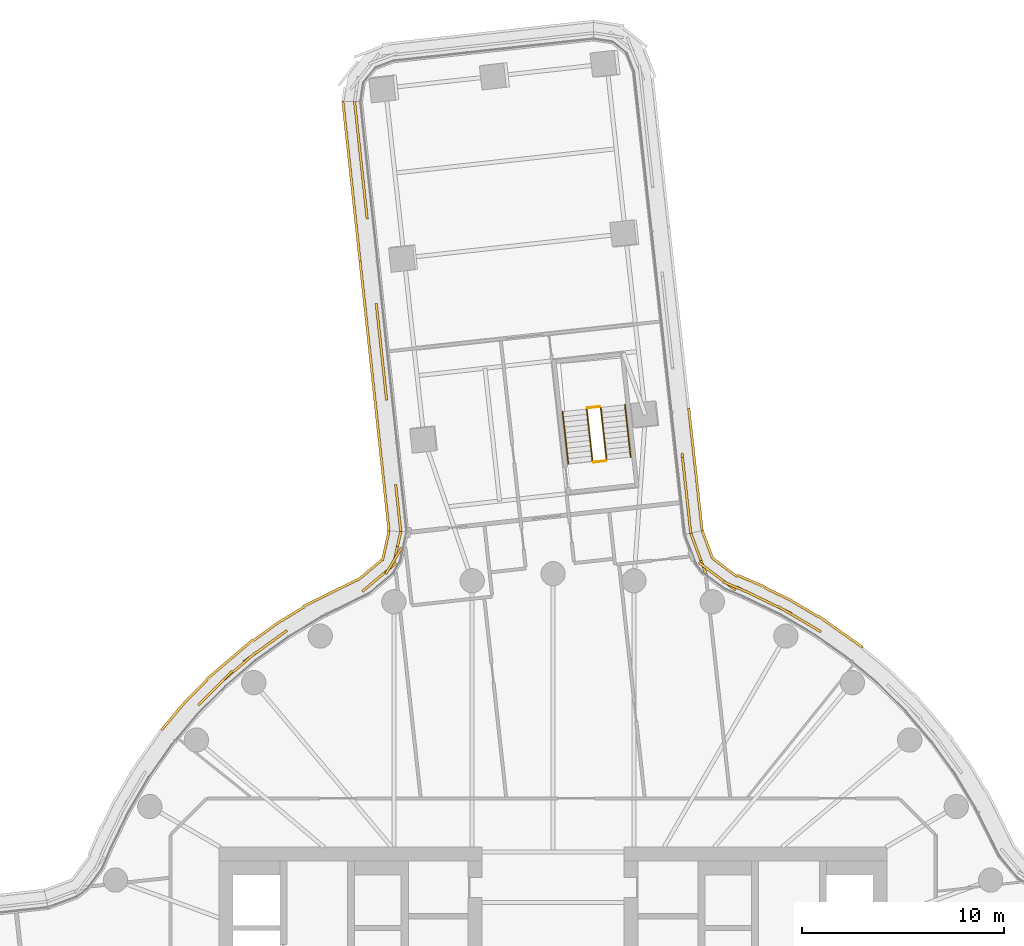
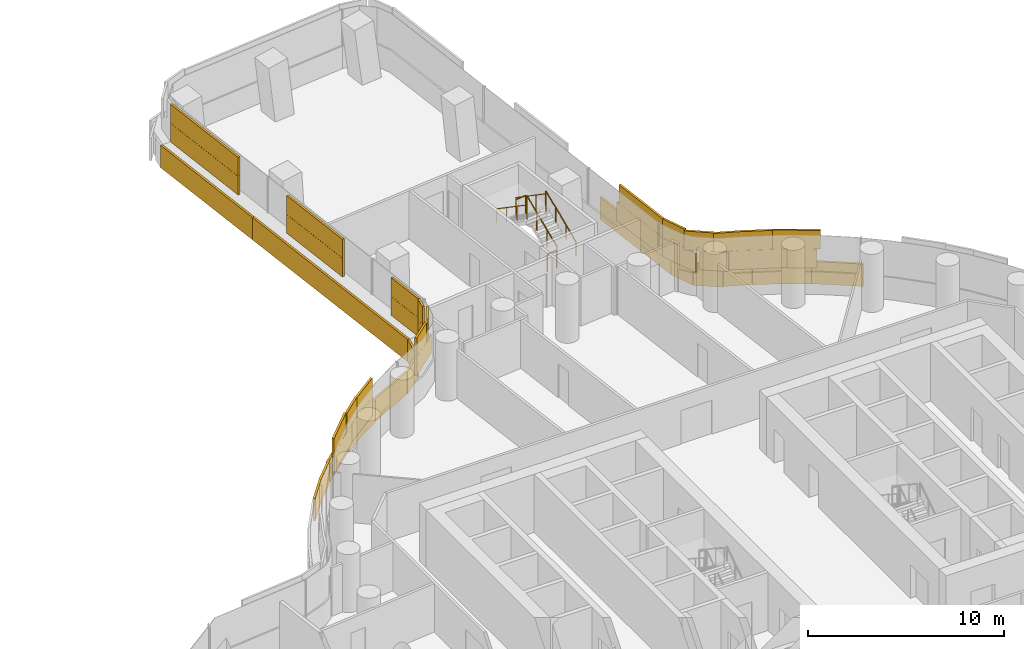
# One storey, part 30 of 31: 6 railings, 5 coverings.
"""IFC4 building model written with IfcOpenShell, lengths in metres."""

from ifc_helpers import new_model, si_unit, direction, frame, origin, origin_2d, place, context, subcontext, project, spatial, rectangle, circle, extrude, material, layer, layer_set, type_object, element, save


model = new_model("IFC4")

# Units and contexts
model_context = context("Model", 3, precision=1e-05, world=origin(), true_north=direction((0.0, 1.0)))
body_context = subcontext(model_context, "Body", "Model", "MODEL_VIEW")
ifc_project = project(units=[si_unit("LENGTHUNIT", "METRE"), si_unit("AREAUNIT", "SQUARE_METRE"), si_unit("VOLUMEUNIT", "CUBIC_METRE"), si_unit("PLANEANGLEUNIT", "RADIAN"), si_unit("MASSUNIT", "GRAM", prefix="KILO")], contexts=[model_context])

# Site, building, storey
site_placement = place(None, origin())
site = spatial("IfcSite", under=ifc_project, at=site_placement, CompositionType="ELEMENT")
building_placement = place(site_placement, origin())
building = spatial("IfcBuilding", under=site, at=building_placement, Name="Tamarind Cross Interchange Tower", CompositionType="ELEMENT")
storey_placement = place(building_placement, frame((0.0, 0.0, 56.5)))
storey = spatial("IfcBuildingStorey", under=building, at=storey_placement, Name="L12", CompositionType="ELEMENT", Elevation=56.5)

# Railings
ifc_material_1 = material(Name="Stair guard")
railing_type_1 = type_object("IfcRailingType", Name="Stair guard", PredefinedType="GUARDRAIL", material=ifc_material_1)
railing_1_placement = place(storey_placement, frame((2.64208984375, 28.628173828125, 0.17041015625)))
element("IfcRailing", 1, at=railing_1_placement, inside=storey, type_object=railing_type_1, Name="L12 ST4 stair guard 1", PredefinedType="GUARDRAIL", context=body_context, shape_type="SweptSolid", body=[
    extrude(circle(Radius=0.02392578125, at=origin_2d()), frame((0.0, 0.0, 1.076171875), z_axis=(-0.091327612329, 0.831293296749, 0.548279784423), x_axis=(-0.994019246663, -0.109205023982, 0.0)), (0.0, 0.0, 1.0), 3.10888671875),
    extrude(circle(Radius=0.02099609375, at=origin_2d()), origin(), (0.0, 0.0, 1.0), 1.052001953125),
    extrude(circle(Radius=0.02099609375, at=origin_2d()), frame((-0.0947265625, 0.861572265625, 0.568115234375)), (0.0, 0.0, 1.0), 1.052001953125),
    extrude(circle(Radius=0.02099609375, at=origin_2d()), frame((-0.189208984375, 1.722900390625, 1.136474609375)), (0.0, 0.0, 1.0), 1.052001953125),
    extrude(circle(Radius=0.02099609375, at=origin_2d()), frame((-0.283935546875, 2.58447265625, 1.70458984375)), (0.0, 0.0, 1.0), 1.052001953125),
])
railing_2_placement = place(storey_placement, frame((2.302978515625, 31.2568359375, 1.875)))
element("IfcRailing", 2, at=railing_2_placement, inside=storey, type_object=railing_type_1, Name="L12 ST4 stair guard 2", PredefinedType="GUARDRAIL", context=body_context, shape_type="SweptSolid", body=[
    extrude(circle(Radius=0.02392578125, at=origin_2d()), frame((0.0, 0.0, 1.076171875), z_axis=(-0.994036595398, -0.109046994501, 0.0), x_axis=(0.109046994501, -0.994036595398, 0.0)), (0.0, 0.0, 1.0), 0.60009765625),
    extrude(circle(Radius=0.02099609375, at=origin_2d()), origin(), (0.0, 0.0, 1.0), 1.052001953125),
    extrude(circle(Radius=0.02099609375, at=origin_2d()), frame((-0.596435546875, -0.0654296875, 0.0)), (0.0, 0.0, 1.0), 1.052001953125),
])
railing_3_placement = place(storey_placement, frame((1.662353515625, 31.13623046875, 2.04541015625)))
element("IfcRailing", 3, at=railing_3_placement, inside=storey, type_object=railing_type_1, Name="L12 ST4 stair guard 3", PredefinedType="GUARDRAIL", context=body_context, shape_type="SweptSolid", body=[
    extrude(circle(Radius=0.02392578125, at=origin_2d()), frame((0.0, 0.0, 1.076171875), z_axis=(0.091327612329, -0.831293296749, 0.548279784423), x_axis=(0.994019246663, 0.109205023982, 0.0)), (0.0, 0.0, 1.0), 3.10888671875),
    extrude(circle(Radius=0.02099609375, at=origin_2d()), origin(), (0.0, 0.0, 1.0), 1.052001953125),
    extrude(circle(Radius=0.02099609375, at=origin_2d()), frame((0.0947265625, -0.861572265625, 0.568115234375)), (0.0, 0.0, 1.0), 1.052001953125),
    extrude(circle(Radius=0.02099609375, at=origin_2d()), frame((0.189208984375, -1.722900390625, 1.136474609375)), (0.0, 0.0, 1.0), 1.052001953125),
    extrude(circle(Radius=0.02099609375, at=origin_2d()), frame((0.283935546875, -2.58447265625, 1.70458984375)), (0.0, 0.0, 1.0), 1.052001953125),
])
railing_4_placement = place(storey_placement, frame((2.597900390625, 28.572998046875, 0.0)))
element("IfcRailing", 4, at=railing_4_placement, inside=storey, type_object=railing_type_1, Name="L12 ST4 stair guard 4", PredefinedType="GUARDRAIL", context=body_context, shape_type="SweptSolid", body=[
    extrude(circle(Radius=0.02392578125, at=origin_2d()), frame((0.0, 0.0, 1.076171875), z_axis=(-0.994036595398, -0.109046994501, 0.0), x_axis=(0.109046994501, -0.994036595398, 0.0)), (0.0, 0.0, 1.0), 0.60009765625),
    extrude(circle(Radius=0.02099609375, at=origin_2d()), origin(), (0.0, 0.0, 1.0), 1.052001953125),
    extrude(circle(Radius=0.02099609375, at=origin_2d()), frame((-0.596435546875, -0.0654296875, 0.0)), (0.0, 0.0, 1.0), 1.052001953125),
])
ifc_material_2 = material(Name="Stair handrail")
railing_type_2 = type_object("IfcRailingType", Name="Stair handrail", PredefinedType="HANDRAIL", material=ifc_material_2)
railing_5_placement = place(storey_placement, frame((3.8349609375, 28.75927734375, 0.17041015625)))
element("IfcRailing", 5, at=railing_5_placement, inside=storey, type_object=railing_type_2, Name="L12 ST4 stair handrail 1", PredefinedType="HANDRAIL", context=body_context, shape_type="SweptSolid", body=[
    extrude(circle(Radius=0.02392578125, at=origin_2d()), frame((0.0, 0.0, 0.8759765625), z_axis=(-0.09133357445, 0.831269033153, 0.548315577655), x_axis=(-0.994018126687, -0.109215217887, 0.0)), (0.0, 0.0, 1.0), 3.10888671875),
    extrude(circle(Radius=0.02099609375, at=origin_2d()), origin(), (0.0, 0.0, 1.0), 0.851806640625),
    extrude(circle(Radius=0.02099609375, at=origin_2d()), frame((-0.0947265625, 0.861328125, 0.568115234375)), (0.0, 0.0, 1.0), 0.851806640625),
    extrude(circle(Radius=0.02099609375, at=origin_2d()), frame((-0.189208984375, 1.722900390625, 1.136474609375)), (0.0, 0.0, 1.0), 0.851806640625),
    extrude(circle(Radius=0.02099609375, at=origin_2d()), frame((-0.283935546875, 2.584228515625, 1.70458984375)), (0.0, 0.0, 1.0), 0.851806640625),
])
railing_6_placement = place(storey_placement, frame((0.469482421875, 31.005126953125, 2.04541015625)))
element("IfcRailing", 6, at=railing_6_placement, inside=storey, type_object=railing_type_2, Name="L12 ST4 stair handrail 2", PredefinedType="HANDRAIL", context=body_context, shape_type="SweptSolid", body=[
    extrude(circle(Radius=0.02392578125, at=origin_2d()), frame((0.0, 0.0, 0.8759765625), z_axis=(0.091327612329, -0.831293296749, 0.548279784423), x_axis=(0.994019246663, 0.109205023982, 0.0)), (0.0, 0.0, 1.0), 3.10888671875),
    extrude(circle(Radius=0.02099609375, at=origin_2d()), origin(), (0.0, 0.0, 1.0), 0.851806640625),
    extrude(circle(Radius=0.02099609375, at=origin_2d()), frame((0.0947265625, -0.861572265625, 0.568115234375)), (0.0, 0.0, 1.0), 0.851806640625),
    extrude(circle(Radius=0.02099609375, at=origin_2d()), frame((0.189208984375, -1.722900390625, 1.136474609375)), (0.0, 0.0, 1.0), 0.851806640625),
    extrude(circle(Radius=0.02099609375, at=origin_2d()), frame((0.283935546875, -2.58447265625, 1.70458984375)), (0.0, 0.0, 1.0), 0.851806640625),
])

# Coverings
ifc_material_3 = material(Name="Terracotta", Category="masonry")
ifc_layer = layer(ifc_material_3, 0.1201171875)
ifc_layer_set = layer_set([ifc_layer], Name="Terracotta")
covering_type = type_object("IfcCoveringType", Name="Terracotta baguette screen unit", PredefinedType="MOLDING", material=ifc_layer_set)
covering_1_placement = place(storey_placement, origin())
element("IfcCovering", 7, at=covering_1_placement, inside=storey, type_object=covering_type, Name="SCR-L12-02-01", PredefinedType="MOLDING", context=body_context, shape_type="SweptSolid", body=[
    extrude(rectangle(XDim=1.52001953125, YDim=0.1201171875, at=origin_2d()), frame((12.41162109375, 20.618896484375, 1.404052734375), z_axis=(0.0, 0.0, 1.0), x_axis=(-0.861248933065, 0.508183308752, 0.0)), (0.0, 0.0, 1.0), 1.1669921875),
    extrude(rectangle(XDim=1.52001953125, YDim=0.1201171875, at=origin_2d()), frame((11.108154296875, 21.35986328125, 1.404052734375), z_axis=(0.0, 0.0, 1.0), x_axis=(-0.900272776334, 0.435326231914, 0.0)), (0.0, 0.0, 1.0), 1.1669921875),
    extrude(rectangle(XDim=1.52001953125, YDim=0.1201171875, at=origin_2d()), frame((9.7578125, 22.012939453125, 1.404052734375), z_axis=(0.0, 0.0, 1.0), x_axis=(-0.900272776334, 0.435326231914, 0.0)), (0.0, 0.0, 1.0), 1.1669921875),
    extrude(rectangle(XDim=1.52001953125, YDim=0.1201171875, at=origin_2d()), frame((8.405517578125, 22.651123046875, 1.404052734375), z_axis=(0.0, 0.0, 1.0), x_axis=(-0.799478775796, 0.600694337457, 0.0)), (0.0, 0.0, 1.0), 1.1669921875),
    extrude(rectangle(XDim=1.52001953125, YDim=0.1201171875, at=origin_2d()), frame((7.3056640625, 23.651611328125, 1.404052734375), z_axis=(0.0, 0.0, 1.0), x_axis=(-0.349296848309, 0.937012119325, 0.0)), (0.0, 0.0, 1.0), 1.1669921875),
    extrude(rectangle(XDim=0.69921875, YDim=0.1201171875, at=origin_2d()), frame((6.92333984375, 24.67724609375, 1.404052734375), z_axis=(0.0, 0.0, 1.0), x_axis=(-0.349296848309, 0.937012119325, 0.0)), (0.0, 0.0, 1.0), 1.1669921875),
    extrude(rectangle(XDim=0.9638671875, YDim=0.1201171875, at=origin_2d()), frame((12.822265625, 20.376708984375, 2.5791015625), z_axis=(0.0, 0.0, 1.0), x_axis=(-0.861248933065, 0.508183308752, 0.0)), (0.0, 0.0, 1.0), 1.1669921875),
    extrude(rectangle(XDim=1.52001953125, YDim=0.1201171875, at=origin_2d()), frame((11.765625, 21.000244140625, 2.5791015625), z_axis=(0.0, 0.0, 1.0), x_axis=(-0.861248933065, 0.508183308752, 0.0)), (0.0, 0.0, 1.0), 1.1669921875),
    extrude(rectangle(XDim=1.52001953125, YDim=0.1201171875, at=origin_2d()), frame((10.43310546875, 21.686279296875, 2.5791015625), z_axis=(0.0, 0.0, 1.0), x_axis=(-0.900272776334, 0.435326231914, 0.0)), (0.0, 0.0, 1.0), 1.1669921875),
    extrude(rectangle(XDim=1.52001953125, YDim=0.1201171875, at=origin_2d()), frame((9.072265625, 22.31640625, 2.5791015625), z_axis=(0.0, 0.0, 1.0), x_axis=(-0.91921788049, 0.393749270714, 0.0)), (0.0, 0.0, 1.0), 1.1669921875),
    extrude(rectangle(XDim=1.52001953125, YDim=0.1201171875, at=origin_2d()), frame((7.805908203125, 23.1015625, 2.5791015625), z_axis=(0.0, 0.0, 1.0), x_axis=(-0.799478775796, 0.600694337457, 0.0)), (0.0, 0.0, 1.0), 1.1669921875),
    extrude(rectangle(XDim=1.44921875, YDim=0.1201171875, at=origin_2d()), frame((7.054443359375, 24.32568359375, 2.5791015625), z_axis=(0.0, 0.0, 1.0), x_axis=(-0.349296848309, 0.937012119325, 0.0)), (0.0, 0.0, 1.0), 1.1669921875),
    extrude(rectangle(XDim=1.170654296875, YDim=0.1201171875, at=origin_2d()), frame((14.818359375, 19.69873046875, 0.00390625), z_axis=(0.0, 0.0, 1.0), x_axis=(-0.816341886298, 0.577568978284, 0.0)), (0.0, 0.0, 1.0), 1.39208984375),
    extrude(rectangle(XDim=1.52001953125, YDim=0.1201171875, at=origin_2d()), frame((13.736572265625, 20.464111328125, 0.00390625), z_axis=(0.0, 0.0, 1.0), x_axis=(-0.816341886298, 0.577568978284, 0.0)), (0.0, 0.0, 1.0), 1.39208984375),
    extrude(rectangle(XDim=1.52001953125, YDim=0.1201171875, at=origin_2d()), frame((12.463134765625, 21.255126953125, 0.00390625), z_axis=(0.0, 0.0, 1.0), x_axis=(-0.861248933065, 0.508183308752, 0.0)), (0.0, 0.0, 1.0), 1.39208984375),
    extrude(rectangle(XDim=1.52001953125, YDim=0.1201171875, at=origin_2d()), frame((11.14990234375, 21.977294921875, 0.00390625), z_axis=(0.0, 0.0, 1.0), x_axis=(-0.900272776334, 0.435326231914, 0.0)), (0.0, 0.0, 1.0), 1.39208984375),
    extrude(rectangle(XDim=1.52001953125, YDim=0.1201171875, at=origin_2d()), frame((9.799072265625, 22.62939453125, 0.00390625), z_axis=(0.0, 0.0, 1.0), x_axis=(-0.91921788049, 0.393749270714, 0.0)), (0.0, 0.0, 1.0), 1.39208984375),
    extrude(rectangle(XDim=1.52001953125, YDim=0.1201171875, at=origin_2d()), frame((8.475830078125, 23.316162109375, 0.00390625), z_axis=(0.0, 0.0, 1.0), x_axis=(-0.799478775796, 0.600694337457, 0.0)), (0.0, 0.0, 1.0), 1.39208984375),
    extrude(rectangle(XDim=1.455322265625, YDim=0.1201171875, at=origin_2d()), frame((7.6201171875, 24.451904296875, 0.00390625), z_axis=(0.0, 0.0, 1.0), x_axis=(-0.349296848309, 0.937012119325, 0.0)), (0.0, 0.0, 1.0), 1.39208984375),
])
covering_2_placement = place(storey_placement, origin())
element("IfcCovering", 8, at=covering_2_placement, inside=storey, type_object=covering_type, Name="SCR-L12-03-00", PredefinedType="MOLDING", context=body_context, shape_type="SweptSolid", body=[
    extrude(rectangle(XDim=1.510009765625, YDim=0.1201171875, at=origin_2d()), frame((6.72119140625, 25.74560546875, 1.404052734375), z_axis=(0.0, 0.0, 1.0), x_axis=(-0.109193040639, 0.994020563105, 0.0)), (0.0, 0.0, 1.0), 1.1669921875),
    extrude(rectangle(XDim=1.52001953125, YDim=0.1201171875, at=origin_2d()), frame((6.557373046875, 27.236572265625, 1.404052734375), z_axis=(0.0, 0.0, 1.0), x_axis=(-0.109193040639, 0.994020563105, 0.0)), (0.0, 0.0, 1.0), 1.1669921875),
    extrude(rectangle(XDim=0.982177734375, YDim=0.1201171875, at=origin_2d()), frame((6.42236328125, 28.46533203125, 1.404052734375), z_axis=(0.0, 0.0, 1.0), x_axis=(-0.109193040639, 0.994020563105, 0.0)), (0.0, 0.0, 1.0), 1.1669921875),
    extrude(rectangle(XDim=0.760009765625, YDim=0.1201171875, at=origin_2d()), frame((6.76220703125, 25.372802734375, 2.5791015625), z_axis=(0.0, 0.0, 1.0), x_axis=(-0.109193040639, 0.994020563105, 0.0)), (0.0, 0.0, 1.0), 1.1669921875),
    extrude(rectangle(XDim=1.52001953125, YDim=0.1201171875, at=origin_2d()), frame((6.639404296875, 26.490966796875, 2.5791015625), z_axis=(0.0, 0.0, 1.0), x_axis=(-0.109193040639, 0.994020563105, 0.0)), (0.0, 0.0, 1.0), 1.1669921875),
    extrude(rectangle(XDim=1.52001953125, YDim=0.1201171875, at=origin_2d()), frame((6.4755859375, 27.982177734375, 2.5791015625), z_axis=(0.0, 0.0, 1.0), x_axis=(-0.109193040639, 0.994020563105, 0.0)), (0.0, 0.0, 1.0), 1.1669921875),
    extrude(rectangle(XDim=1.510009765625, YDim=0.1201171875, at=origin_2d()), frame((7.283447265625, 25.884033203125, 0.00390625), z_axis=(0.0, 0.0, 1.0), x_axis=(-0.109193040639, 0.994020563105, 0.0)), (0.0, 0.0, 1.0), 1.39208984375),
    extrude(rectangle(XDim=1.52001953125, YDim=0.1201171875, at=origin_2d()), frame((7.1201171875, 27.3701171875, 0.00390625), z_axis=(0.0, 0.0, 1.0), x_axis=(-0.109193040639, 0.994020563105, 0.0)), (0.0, 0.0, 1.0), 1.39208984375),
    extrude(rectangle(XDim=1.52001953125, YDim=0.1201171875, at=origin_2d()), frame((6.956298828125, 28.861328125, 0.00390625), z_axis=(0.0, 0.0, 1.0), x_axis=(-0.109193040639, 0.994020563105, 0.0)), (0.0, 0.0, 1.0), 1.39208984375),
    extrude(rectangle(XDim=1.52001953125, YDim=0.1201171875, at=origin_2d()), frame((6.792724609375, 30.352294921875, 0.00390625), z_axis=(0.0, 0.0, 1.0), x_axis=(-0.109193040639, 0.994020563105, 0.0)), (0.0, 0.0, 1.0), 1.39208984375),
    extrude(rectangle(XDim=0.083251953125, YDim=0.1201171875, at=origin_2d()), frame((6.707275390625, 31.129150390625, 0.00390625), z_axis=(0.0, 0.0, 1.0), x_axis=(-0.109193040639, 0.994020563105, 0.0)), (0.0, 0.0, 1.0), 1.39208984375),
])
covering_3_placement = place(storey_placement, origin())
element("IfcCovering", 9, at=covering_3_placement, inside=storey, type_object=covering_type, Name="SCR-L12-05-00", PredefinedType="MOLDING", context=body_context, shape_type="SweptSolid", body=[
    extrude(rectangle(XDim=1.510009765625, YDim=0.1201171875, at=origin_2d()), frame((-9.724853515625, 45.58056640625, 1.404052734375), z_axis=(0.0, 0.0, 1.0), x_axis=(0.106743612679, -0.994286578986, 0.0)), (0.0, 0.0, 1.0), 1.1669921875),
    extrude(rectangle(XDim=1.52001953125, YDim=0.1201171875, at=origin_2d()), frame((-9.564697265625, 44.089111328125, 1.404052734375), z_axis=(0.0, 0.0, 1.0), x_axis=(0.106743612679, -0.994286578986, 0.0)), (0.0, 0.0, 1.0), 1.1669921875),
    extrude(rectangle(XDim=1.52001953125, YDim=0.1201171875, at=origin_2d()), frame((-9.404541015625, 42.597900390625, 1.404052734375), z_axis=(0.0, 0.0, 1.0), x_axis=(0.106743612679, -0.994286578986, 0.0)), (0.0, 0.0, 1.0), 1.1669921875),
    extrude(rectangle(XDim=1.348388671875, YDim=0.1201171875, at=origin_2d()), frame((-9.253173828125, 41.186767578125, 1.404052734375), z_axis=(0.0, 0.0, 1.0), x_axis=(0.106743612679, -0.994286578986, 0.0)), (0.0, 0.0, 1.0), 1.1669921875),
    extrude(rectangle(XDim=0.760009765625, YDim=0.1201171875, at=origin_2d()), frame((-9.764892578125, 45.95361328125, 2.5791015625), z_axis=(0.0, 0.0, 1.0), x_axis=(0.106743612679, -0.994286578986, 0.0)), (0.0, 0.0, 1.0), 1.1669921875),
    extrude(rectangle(XDim=1.52001953125, YDim=0.1201171875, at=origin_2d()), frame((-9.644775390625, 44.8349609375, 2.5791015625), z_axis=(0.0, 0.0, 1.0), x_axis=(0.106743612679, -0.994286578986, 0.0)), (0.0, 0.0, 1.0), 1.1669921875),
    extrude(rectangle(XDim=1.52001953125, YDim=0.1201171875, at=origin_2d()), frame((-9.484619140625, 43.343505859375, 2.5791015625), z_axis=(0.0, 0.0, 1.0), x_axis=(0.106743612679, -0.994286578986, 0.0)), (0.0, 0.0, 1.0), 1.1669921875),
    extrude(rectangle(XDim=1.52001953125, YDim=0.1201171875, at=origin_2d()), frame((-9.324462890625, 41.85205078125, 2.5791015625), z_axis=(0.0, 0.0, 1.0), x_axis=(0.106743612679, -0.994286578986, 0.0)), (0.0, 0.0, 1.0), 1.1669921875),
    extrude(rectangle(XDim=0.598388671875, YDim=0.1201171875, at=origin_2d()), frame((-9.213134765625, 40.81396484375, 2.5791015625), z_axis=(0.0, 0.0, 1.0), x_axis=(0.106743612679, -0.994286578986, 0.0)), (0.0, 0.0, 1.0), 1.1669921875),
    extrude(rectangle(XDim=1.510009765625, YDim=0.1201171875, at=origin_2d()), frame((-10.302978515625, 45.5888671875, 0.00390625), z_axis=(0.0, 0.0, 1.0), x_axis=(0.106743612679, -0.994286578986, 0.0)), (0.0, 0.0, 1.0), 1.39208984375),
    extrude(rectangle(XDim=1.52001953125, YDim=0.1201171875, at=origin_2d()), frame((-10.143310546875, 44.102294921875, 0.00390625), z_axis=(0.0, 0.0, 1.0), x_axis=(0.106743612679, -0.994286578986, 0.0)), (0.0, 0.0, 1.0), 1.39208984375),
    extrude(rectangle(XDim=1.52001953125, YDim=0.1201171875, at=origin_2d()), frame((-9.9833984375, 42.61083984375, 0.00390625), z_axis=(0.0, 0.0, 1.0), x_axis=(0.106743612679, -0.994286578986, 0.0)), (0.0, 0.0, 1.0), 1.39208984375),
    extrude(rectangle(XDim=1.52001953125, YDim=0.1201171875, at=origin_2d()), frame((-9.8232421875, 41.11962890625, 0.00390625), z_axis=(0.0, 0.0, 1.0), x_axis=(0.106743612679, -0.994286578986, 0.0)), (0.0, 0.0, 1.0), 1.39208984375),
    extrude(rectangle(XDim=1.52001953125, YDim=0.1201171875, at=origin_2d()), frame((-9.6630859375, 39.628173828125, 0.00390625), z_axis=(0.0, 0.0, 1.0), x_axis=(0.106743612679, -0.994286578986, 0.0)), (0.0, 0.0, 1.0), 1.39208984375),
    extrude(rectangle(XDim=0.441162109375, YDim=0.1201171875, at=origin_2d()), frame((-9.560546875, 38.6728515625, 0.00390625), z_axis=(0.0, 0.0, 1.0), x_axis=(0.106743612679, -0.994286578986, 0.0)), (0.0, 0.0, 1.0), 1.39208984375),
])
covering_4_placement = place(storey_placement, origin())
element("IfcCovering", 10, at=covering_4_placement, inside=storey, type_object=covering_type, Name="SCR-L12-05-01", PredefinedType="MOLDING", context=body_context, shape_type="SweptSolid", body=[
    extrude(rectangle(XDim=0.4716796875, YDim=0.1201171875, at=origin_2d()), frame((-8.708740234375, 36.11572265625, 1.404052734375), z_axis=(0.0, 0.0, 1.0), x_axis=(0.106743612679, -0.994286578986, 0.0)), (0.0, 0.0, 1.0), 1.1669921875),
    extrude(rectangle(XDim=1.52001953125, YDim=0.1201171875, at=origin_2d()), frame((-8.60400390625, 35.140625, 1.404052734375), z_axis=(0.0, 0.0, 1.0), x_axis=(0.106743612679, -0.994286578986, 0.0)), (0.0, 0.0, 1.0), 1.1669921875),
    extrude(rectangle(XDim=1.52001953125, YDim=0.1201171875, at=origin_2d()), frame((-8.44384765625, 33.649169921875, 1.404052734375), z_axis=(0.0, 0.0, 1.0), x_axis=(0.106743612679, -0.994286578986, 0.0)), (0.0, 0.0, 1.0), 1.1669921875),
    extrude(rectangle(XDim=1.34716796875, YDim=0.1201171875, at=origin_2d()), frame((-8.29248046875, 32.23876953125, 1.404052734375), z_axis=(0.0, 0.0, 1.0), x_axis=(0.106743612679, -0.994286578986, 0.0)), (0.0, 0.0, 1.0), 1.1669921875),
    extrude(rectangle(XDim=0.472900390625, YDim=0.1201171875, at=origin_2d()), frame((-7.748046875, 27.16796875, 1.404052734375), z_axis=(0.0, 0.0, 1.0), x_axis=(0.106743612679, -0.994286578986, 0.0)), (0.0, 0.0, 1.0), 1.1669921875),
    extrude(rectangle(XDim=1.52001953125, YDim=0.1201171875, at=origin_2d()), frame((-7.643310546875, 26.192138671875, 1.404052734375), z_axis=(0.0, 0.0, 1.0), x_axis=(0.106743612679, -0.994286578986, 0.0)), (0.0, 0.0, 1.0), 1.1669921875),
    extrude(rectangle(XDim=0.37548828125, YDim=0.1201171875, at=origin_2d()), frame((-7.543701171875, 25.2646484375, 1.404052734375), z_axis=(0.0, 0.0, 1.0), x_axis=(0.106743612679, -0.994286578986, 0.0)), (0.0, 0.0, 1.0), 1.1669921875),
    extrude(rectangle(XDim=1.2216796875, YDim=0.1201171875, at=origin_2d()), frame((-8.668701171875, 35.742919921875, 2.5791015625), z_axis=(0.0, 0.0, 1.0), x_axis=(0.106743612679, -0.994286578986, 0.0)), (0.0, 0.0, 1.0), 1.1669921875),
    extrude(rectangle(XDim=1.52001953125, YDim=0.1201171875, at=origin_2d()), frame((-8.52392578125, 34.39501953125, 2.5791015625), z_axis=(0.0, 0.0, 1.0), x_axis=(0.106743612679, -0.994286578986, 0.0)), (0.0, 0.0, 1.0), 1.1669921875),
    extrude(rectangle(XDim=1.52001953125, YDim=0.1201171875, at=origin_2d()), frame((-8.36376953125, 32.903564453125, 2.5791015625), z_axis=(0.0, 0.0, 1.0), x_axis=(0.106743612679, -0.994286578986, 0.0)), (0.0, 0.0, 1.0), 1.1669921875),
    extrude(rectangle(XDim=0.59716796875, YDim=0.1201171875, at=origin_2d()), frame((-8.25244140625, 31.865966796875, 2.5791015625), z_axis=(0.0, 0.0, 1.0), x_axis=(0.106743612679, -0.994286578986, 0.0)), (0.0, 0.0, 1.0), 1.1669921875),
    extrude(rectangle(XDim=1.222900390625, YDim=0.1201171875, at=origin_2d()), frame((-7.7080078125, 26.794921875, 2.5791015625), z_axis=(0.0, 0.0, 1.0), x_axis=(0.106743612679, -0.994286578986, 0.0)), (0.0, 0.0, 1.0), 1.1669921875),
    extrude(rectangle(XDim=1.12548828125, YDim=0.1201171875, at=origin_2d()), frame((-7.583740234375, 25.637451171875, 2.5791015625), z_axis=(0.0, 0.0, 1.0), x_axis=(0.106743612679, -0.994286578986, 0.0)), (0.0, 0.0, 1.0), 1.1669921875),
    extrude(rectangle(XDim=1.07861328125, YDim=0.1201171875, at=origin_2d()), frame((-9.4794921875, 37.917236328125, 0.00390625), z_axis=(0.0, 0.0, 1.0), x_axis=(0.106743612679, -0.994286578986, 0.0)), (0.0, 0.0, 1.0), 1.39208984375),
    extrude(rectangle(XDim=1.52001953125, YDim=0.1201171875, at=origin_2d()), frame((-9.3427734375, 36.645263671875, 0.00390625), z_axis=(0.0, 0.0, 1.0), x_axis=(0.106743612679, -0.994286578986, 0.0)), (0.0, 0.0, 1.0), 1.39208984375),
    extrude(rectangle(XDim=1.52001953125, YDim=0.1201171875, at=origin_2d()), frame((-9.1826171875, 35.15380859375, 0.00390625), z_axis=(0.0, 0.0, 1.0), x_axis=(0.106743612679, -0.994286578986, 0.0)), (0.0, 0.0, 1.0), 1.39208984375),
    extrude(rectangle(XDim=1.52001953125, YDim=0.1201171875, at=origin_2d()), frame((-9.022705078125, 33.662353515625, 0.00390625), z_axis=(0.0, 0.0, 1.0), x_axis=(0.106743612679, -0.994286578986, 0.0)), (0.0, 0.0, 1.0), 1.39208984375),
    extrude(rectangle(XDim=1.52001953125, YDim=0.1201171875, at=origin_2d()), frame((-8.862548828125, 32.1708984375, 0.00390625), z_axis=(0.0, 0.0, 1.0), x_axis=(0.106743612679, -0.994286578986, 0.0)), (0.0, 0.0, 1.0), 1.39208984375),
    extrude(rectangle(XDim=1.52001953125, YDim=0.1201171875, at=origin_2d()), frame((-8.702392578125, 30.679443359375, 0.00390625), z_axis=(0.0, 0.0, 1.0), x_axis=(0.106743612679, -0.994286578986, 0.0)), (0.0, 0.0, 1.0), 1.39208984375),
    extrude(rectangle(XDim=1.52001953125, YDim=0.1201171875, at=origin_2d()), frame((-8.542236328125, 29.18798828125, 0.00390625), z_axis=(0.0, 0.0, 1.0), x_axis=(0.106743612679, -0.994286578986, 0.0)), (0.0, 0.0, 1.0), 1.39208984375),
    extrude(rectangle(XDim=1.52001953125, YDim=0.1201171875, at=origin_2d()), frame((-8.382080078125, 27.696533203125, 0.00390625), z_axis=(0.0, 0.0, 1.0), x_axis=(0.106743612679, -0.994286578986, 0.0)), (0.0, 0.0, 1.0), 1.39208984375),
    extrude(rectangle(XDim=1.52001953125, YDim=0.1201171875, at=origin_2d()), frame((-8.221923828125, 26.205322265625, 0.00390625), z_axis=(0.0, 0.0, 1.0), x_axis=(0.106743612679, -0.994286578986, 0.0)), (0.0, 0.0, 1.0), 1.39208984375),
    extrude(rectangle(XDim=0.356201171875, YDim=0.1201171875, at=origin_2d()), frame((-8.1240234375, 25.292236328125, 0.00390625), z_axis=(0.0, 0.0, 1.0), x_axis=(0.106743612679, -0.994286578986, 0.0)), (0.0, 0.0, 1.0), 1.39208984375),
])
covering_5_placement = place(storey_placement, origin())
element("IfcCovering", 11, at=covering_5_placement, inside=storey, type_object=covering_type, Name="SCR-L12-06-00", PredefinedType="MOLDING", context=body_context, shape_type="SweptSolid", body=[
    extrude(rectangle(XDim=1.510009765625, YDim=0.1201171875, at=origin_2d()), frame((-7.686279296875, 24.350830078125, 1.404052734375), z_axis=(0.0, 0.0, 1.0), x_axis=(-0.215919068886, -0.976411263603, 0.0)), (0.0, 0.0, 1.0), 1.1669921875),
    extrude(rectangle(XDim=1.52001953125, YDim=0.1201171875, at=origin_2d()), frame((-8.32763671875, 23.041748046875, 1.404052734375), z_axis=(0.0, 0.0, 1.0), x_axis=(-0.765437817038, -0.643509866474, 0.0)), (0.0, 0.0, 1.0), 1.1669921875),
    extrude(rectangle(XDim=0.68212890625, YDim=0.1201171875, at=origin_2d()), frame((-9.1591796875, 22.3427734375, 1.404052734375), z_axis=(0.0, 0.0, 1.0), x_axis=(-0.765437817038, -0.643509866474, 0.0)), (0.0, 0.0, 1.0), 1.1669921875),
    extrude(rectangle(XDim=1.137939453125, YDim=0.1201171875, at=origin_2d()), frame((-13.604248046875, 19.859375, 1.404052734375), z_axis=(0.0, 0.0, 1.0), x_axis=(-0.811340475102, -0.584573890505, 0.0)), (0.0, 0.0, 1.0), 1.1669921875),
    extrude(rectangle(XDim=1.52001953125, YDim=0.1201171875, at=origin_2d()), frame((-14.67041015625, 19.09130859375, 1.404052734375), z_axis=(0.0, 0.0, 1.0), x_axis=(-0.811340475102, -0.584573890505, 0.0)), (0.0, 0.0, 1.0), 1.1669921875),
    extrude(rectangle(XDim=1.52001953125, YDim=0.1201171875, at=origin_2d()), frame((-15.82373046875, 18.133544921875, 1.404052734375), z_axis=(0.0, 0.0, 1.0), x_axis=(-0.760295606781, -0.64957723968, 0.0)), (0.0, 0.0, 1.0), 1.1669921875),
    extrude(rectangle(XDim=1.52001953125, YDim=0.1201171875, at=origin_2d()), frame((-16.921630859375, 17.11328125, 1.404052734375), z_axis=(0.0, 0.0, 1.0), x_axis=(-0.704057148523, -0.710143317658, 0.0)), (0.0, 0.0, 1.0), 1.1669921875),
    extrude(rectangle(XDim=0.760009765625, YDim=0.1201171875, at=origin_2d()), frame((-7.605224609375, 24.716796875, 2.5791015625), z_axis=(0.0, 0.0, 1.0), x_axis=(-0.215919068886, -0.976411263603, 0.0)), (0.0, 0.0, 1.0), 1.1669921875),
    extrude(rectangle(XDim=1.52001953125, YDim=0.1201171875, at=origin_2d()), frame((-7.877197265625, 23.630126953125, 2.5791015625), z_axis=(0.0, 0.0, 1.0), x_axis=(-0.518142035964, -0.855294587009, 0.0)), (0.0, 0.0, 1.0), 1.1669921875),
    extrude(rectangle(XDim=1.43212890625, YDim=0.1201171875, at=origin_2d()), frame((-8.8720703125, 22.583984375, 2.5791015625), z_axis=(0.0, 0.0, 1.0), x_axis=(-0.765437817038, -0.643509866474, 0.0)), (0.0, 0.0, 1.0), 1.1669921875),
    extrude(rectangle(XDim=0.387939453125, YDim=0.1201171875, at=origin_2d()), frame((-13.300048828125, 20.07861328125, 2.5791015625), z_axis=(0.0, 0.0, 1.0), x_axis=(-0.811340475102, -0.584573890505, 0.0)), (0.0, 0.0, 1.0), 1.1669921875),
    extrude(rectangle(XDim=1.52001953125, YDim=0.1201171875, at=origin_2d()), frame((-14.061767578125, 19.52978515625, 2.5791015625), z_axis=(0.0, 0.0, 1.0), x_axis=(-0.811340475102, -0.584573890505, 0.0)), (0.0, 0.0, 1.0), 1.1669921875),
    extrude(rectangle(XDim=1.52001953125, YDim=0.1201171875, at=origin_2d()), frame((-15.25341796875, 18.62060546875, 2.5791015625), z_axis=(0.0, 0.0, 1.0), x_axis=(-0.760295606781, -0.64957723968, 0.0)), (0.0, 0.0, 1.0), 1.1669921875),
    extrude(rectangle(XDim=1.52001953125, YDim=0.1201171875, at=origin_2d()), frame((-16.3935546875, 17.645751953125, 2.5791015625), z_axis=(0.0, 0.0, 1.0), x_axis=(-0.704057148523, -0.710143317658, 0.0)), (0.0, 0.0, 1.0), 1.1669921875),
    extrude(rectangle(XDim=0.85595703125, YDim=0.1201171875, at=origin_2d()), frame((-17.219482421875, 16.812744140625, 2.5791015625), z_axis=(0.0, 0.0, 1.0), x_axis=(-0.704057148523, -0.710143317658, 0.0)), (0.0, 0.0, 1.0), 1.1669921875),
    extrude(rectangle(XDim=1.510009765625, YDim=0.1201171875, at=origin_2d()), frame((-8.26806640625, 24.3779296875, 0.00390625), z_axis=(0.0, 0.0, 1.0), x_axis=(-0.215919068886, -0.976411263603, 0.0)), (0.0, 0.0, 1.0), 1.39208984375),
    extrude(rectangle(XDim=1.52001953125, YDim=0.1201171875, at=origin_2d()), frame((-9.05908203125, 23.1767578125, 0.00390625), z_axis=(0.0, 0.0, 1.0), x_axis=(-0.765437817038, -0.643509866474, 0.0)), (0.0, 0.0, 1.0), 1.39208984375),
    extrude(rectangle(XDim=1.52001953125, YDim=0.1201171875, at=origin_2d()), frame((-10.320556640625, 22.3837890625, 0.00390625), z_axis=(0.0, 0.0, 1.0), x_axis=(-0.896492548518, -0.443058811505, 0.0)), (0.0, 0.0, 1.0), 1.39208984375),
    extrude(rectangle(XDim=1.52001953125, YDim=0.1201171875, at=origin_2d()), frame((-11.665283203125, 21.71923828125, 0.00390625), z_axis=(0.0, 0.0, 1.0), x_axis=(-0.896492548518, -0.443058811505, 0.0)), (0.0, 0.0, 1.0), 1.39208984375),
    extrude(rectangle(XDim=1.52001953125, YDim=0.1201171875, at=origin_2d()), frame((-12.957763671875, 20.959228515625, 0.00390625), z_axis=(0.0, 0.0, 1.0), x_axis=(-0.856843065292, -0.515577308909, 0.0)), (0.0, 0.0, 1.0), 1.39208984375),
    extrude(rectangle(XDim=1.52001953125, YDim=0.1201171875, at=origin_2d()), frame((-14.207763671875, 20.132080078125, 0.00390625), z_axis=(0.0, 0.0, 1.0), x_axis=(-0.811340475102, -0.584573890505, 0.0)), (0.0, 0.0, 1.0), 1.39208984375),
    extrude(rectangle(XDim=1.52001953125, YDim=0.1201171875, at=origin_2d()), frame((-15.412353515625, 19.23974609375, 0.00390625), z_axis=(0.0, 0.0, 1.0), x_axis=(-0.760295606781, -0.64957723968, 0.0)), (0.0, 0.0, 1.0), 1.39208984375),
    extrude(rectangle(XDim=1.52001953125, YDim=0.1201171875, at=origin_2d()), frame((-16.552978515625, 18.265380859375, 0.00390625), z_axis=(0.0, 0.0, 1.0), x_axis=(-0.760295606781, -0.64957723968, 0.0)), (0.0, 0.0, 1.0), 1.39208984375),
    extrude(rectangle(XDim=1.52001953125, YDim=0.1201171875, at=origin_2d()), frame((-17.625732421875, 17.21826171875, 0.00390625), z_axis=(0.0, 0.0, 1.0), x_axis=(-0.704057148523, -0.710143317658, 0.0)), (0.0, 0.0, 1.0), 1.39208984375),
    extrude(rectangle(XDim=1.52001953125, YDim=0.1201171875, at=origin_2d()), frame((-18.641357421875, 16.115966796875, 0.00390625), z_axis=(0.0, 0.0, 1.0), x_axis=(-0.643009266048, -0.765858396687, 0.0)), (0.0, 0.0, 1.0), 1.39208984375),
    extrude(rectangle(XDim=0.349365234375, YDim=0.1201171875, at=origin_2d()), frame((-19.2294921875, 15.41552734375, 0.00390625), z_axis=(0.0, 0.0, 1.0), x_axis=(-0.643009266048, -0.765858396687, 0.0)), (0.0, 0.0, 1.0), 1.39208984375),
])

save(model, "model.ifc")
